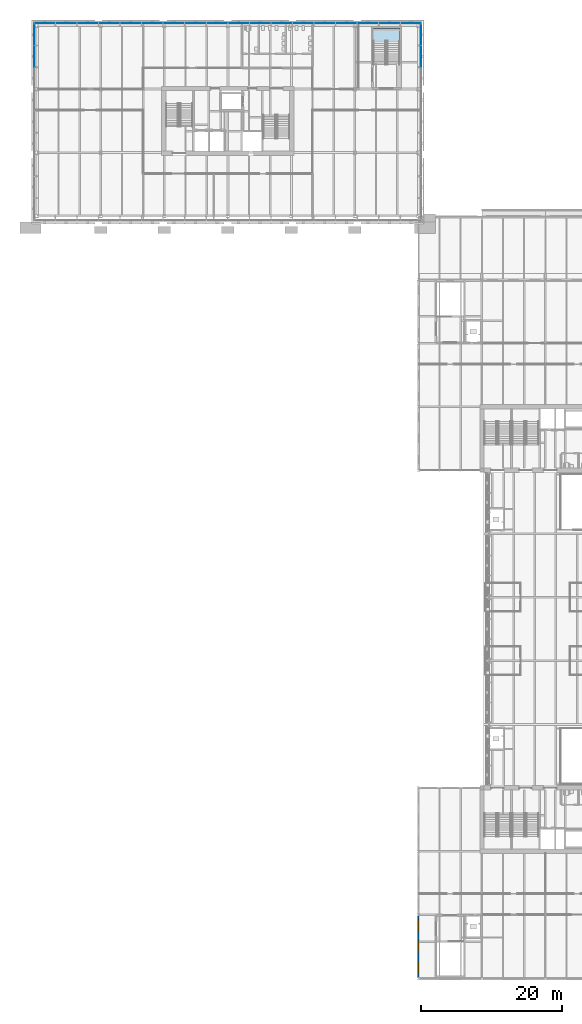
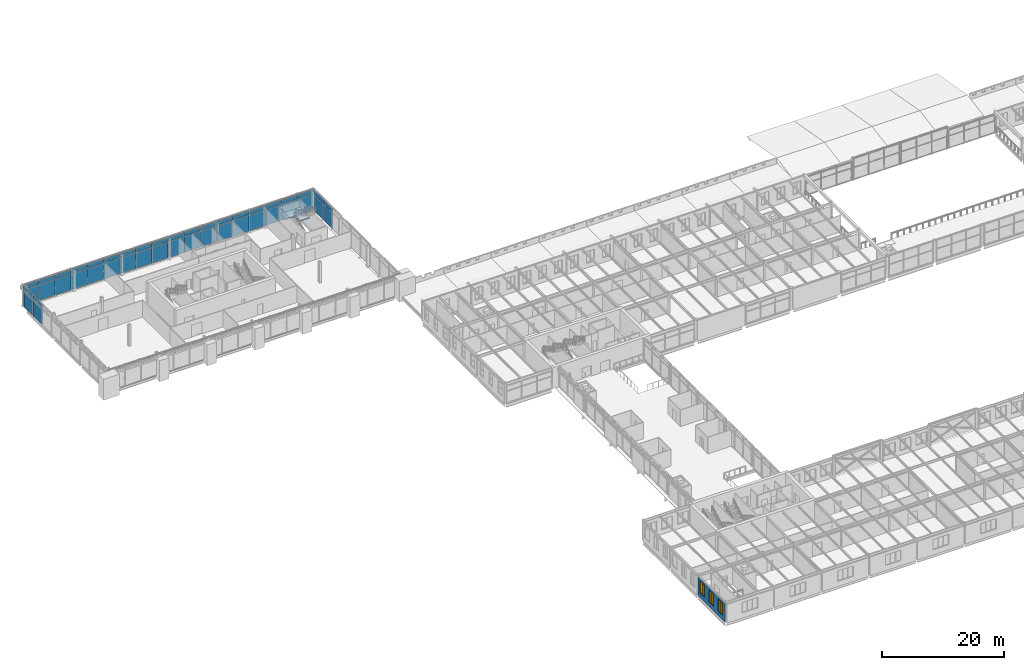
# One storey, part 58 of 123: 44 plates, 3 windows, 1 slab, 1 wall, 3 openings, 4 elements without a shape of their own.
"""IFC4 building model written with IfcOpenShell, lengths in metres."""

from ifc_helpers import new_model, si_unit, direction, frame, frame_2d, origin, origin_2d, place, context, subcontext, project, spatial, polyline, rectangle, outline, extrude, material, layer, layer_set, type_object, element, fill, aggregate, save


model = new_model("IFC4")

# Units and contexts
model_context = context("Model", 3, precision=1e-05, world=origin(), true_north=direction((0.0, 1.0)))
body_context = subcontext(model_context, "Body", "Model", "MODEL_VIEW")
ifc_project = project(units=[si_unit("LENGTHUNIT", "METRE"), si_unit("AREAUNIT", "SQUARE_METRE"), si_unit("VOLUMEUNIT", "CUBIC_METRE"), si_unit("PLANEANGLEUNIT", "RADIAN"), si_unit("MASSUNIT", "GRAM", prefix="KILO")], contexts=[model_context])

# Site, building, storey
site_placement = place(None, origin())
site = spatial("IfcSite", under=ifc_project, at=site_placement, CompositionType="ELEMENT")
building_placement = place(site_placement, origin())
building = spatial("IfcBuilding", under=site, at=building_placement, Name="Baradari Gate Terminus", CompositionType="ELEMENT")
storey_placement = place(building_placement, frame((0.0, 0.0, 7.5)))
storey = spatial("IfcBuildingStorey", under=building, at=storey_placement, Name="L01", CompositionType="ELEMENT", Elevation=7.5)

# Curtain wall, plates
ifc_material_1 = material(Name="Aluminium 6063-T6", Category="aluminium")
curtain_wall_type = type_object("IfcCurtainWallType", Name="Curtain wall CW-9 block gallery storey", PredefinedType="NOTDEFINED", material=ifc_material_1)
curtain_wall_1_placement = place(storey_placement, origin())
curtain_wall_1 = element("IfcCurtainWall", 1, at=curtain_wall_1_placement, inside=storey, type_object=curtain_wall_type, Name="Curtain wall CW-9 Operations block N face L01", PredefinedType="NOTDEFINED")
ifc_material_2 = material(Name="Insulating glass unit", Category="glass")
ifc_layer_1 = layer(ifc_material_2, 0.02001953125)
ifc_layer_set_1 = layer_set([ifc_layer_1], Name="Insulating glass unit")
plate_type_1 = type_object("IfcPlateType", Name="Curtain wall glazing unit CP-9 20", PredefinedType="CURTAIN_PANEL", material=ifc_layer_set_1)
plate_1_placement = place(storey_placement, frame((10.050048828125, 144.382568359375, 0.06982421875), z_axis=(0.0, 0.0, 1.0), x_axis=(1.0, 0.0, 0.0)))
plate_1 = element("IfcPlate", 2, at=plate_1_placement, type_object=plate_type_1, Name="CW-9 panel 1.1", PredefinedType="CURTAIN_PANEL", context=body_context, shape_type="SweptSolid", body=[
    extrude(rectangle(XDim=2.949951171875, YDim=0.02001953125, at=origin_2d()), origin(), (0.0, 0.0, 1.0), 3.195068359375),
])
plate_2_placement = place(storey_placement, frame((13.08740234375, 144.382568359375, 0.06982421875), z_axis=(0.0, 0.0, 1.0), x_axis=(1.0, 0.0, 0.0)))
plate_2 = element("IfcPlate", 3, at=plate_2_placement, type_object=plate_type_1, Name="CW-9 panel 2.1", PredefinedType="CURTAIN_PANEL", context=body_context, shape_type="SweptSolid", body=[
    extrude(rectangle(XDim=2.985107421875, YDim=0.02001953125, at=origin_2d()), origin(), (0.0, 0.0, 1.0), 3.195068359375),
])
plate_3_placement = place(storey_placement, frame((16.142578125, 144.382568359375, 0.06982421875), z_axis=(0.0, 0.0, 1.0), x_axis=(1.0, 0.0, 0.0)))
plate_3 = element("IfcPlate", 4, at=plate_3_placement, type_object=plate_type_1, Name="CW-9 panel 3.1", PredefinedType="CURTAIN_PANEL", context=body_context, shape_type="SweptSolid", body=[
    extrude(rectangle(XDim=2.985107421875, YDim=0.02001953125, at=origin_2d()), origin(), (0.0, 0.0, 1.0), 3.195068359375),
])
plate_4_placement = place(storey_placement, frame((19.197509765625, 144.382568359375, 0.06982421875), z_axis=(0.0, 0.0, 1.0), x_axis=(1.0, 0.0, 0.0)))
plate_4 = element("IfcPlate", 5, at=plate_4_placement, type_object=plate_type_1, Name="CW-9 panel 4.1", PredefinedType="CURTAIN_PANEL", context=body_context, shape_type="SweptSolid", body=[
    extrude(rectangle(XDim=2.985107421875, YDim=0.02001953125, at=origin_2d()), origin(), (0.0, 0.0, 1.0), 3.195068359375),
])
plate_5_placement = place(storey_placement, frame((22.25244140625, 144.382568359375, 0.06982421875), z_axis=(0.0, 0.0, 1.0), x_axis=(1.0, 0.0, 0.0)))
plate_5 = element("IfcPlate", 6, at=plate_5_placement, type_object=plate_type_1, Name="CW-9 panel 5.1", PredefinedType="CURTAIN_PANEL", context=body_context, shape_type="SweptSolid", body=[
    extrude(rectangle(XDim=2.985107421875, YDim=0.02001953125, at=origin_2d()), origin(), (0.0, 0.0, 1.0), 3.195068359375),
])
plate_6_placement = place(storey_placement, frame((25.3076171875, 144.382568359375, 0.06982421875), z_axis=(0.0, 0.0, 1.0), x_axis=(1.0, 0.0, 0.0)))
plate_6 = element("IfcPlate", 7, at=plate_6_placement, type_object=plate_type_1, Name="CW-9 panel 6.1", PredefinedType="CURTAIN_PANEL", context=body_context, shape_type="SweptSolid", body=[
    extrude(rectangle(XDim=2.985107421875, YDim=0.02001953125, at=origin_2d()), origin(), (0.0, 0.0, 1.0), 3.195068359375),
])
plate_7_placement = place(storey_placement, frame((28.362548828125, 144.382568359375, 0.06982421875), z_axis=(0.0, 0.0, 1.0), x_axis=(1.0, 0.0, 0.0)))
plate_7 = element("IfcPlate", 8, at=plate_7_placement, type_object=plate_type_1, Name="CW-9 panel 7.1", PredefinedType="CURTAIN_PANEL", context=body_context, shape_type="SweptSolid", body=[
    extrude(rectangle(XDim=2.985107421875, YDim=0.02001953125, at=origin_2d()), origin(), (0.0, 0.0, 1.0), 3.195068359375),
])
plate_8_placement = place(storey_placement, frame((31.41748046875, 144.382568359375, 0.06982421875), z_axis=(0.0, 0.0, 1.0), x_axis=(1.0, 0.0, 0.0)))
plate_8 = element("IfcPlate", 9, at=plate_8_placement, type_object=plate_type_1, Name="CW-9 panel 8.1", PredefinedType="CURTAIN_PANEL", context=body_context, shape_type="SweptSolid", body=[
    extrude(rectangle(XDim=2.985107421875, YDim=0.02001953125, at=origin_2d()), origin(), (0.0, 0.0, 1.0), 3.195068359375),
])
plate_9_placement = place(storey_placement, frame((34.472412109375, 144.382568359375, 0.06982421875), z_axis=(0.0, 0.0, 1.0), x_axis=(1.0, 0.0, 0.0)))
plate_9 = element("IfcPlate", 10, at=plate_9_placement, type_object=plate_type_1, Name="CW-9 panel 9.1", PredefinedType="CURTAIN_PANEL", context=body_context, shape_type="SweptSolid", body=[
    extrude(rectangle(XDim=2.985107421875, YDim=0.02001953125, at=origin_2d()), origin(), (0.0, 0.0, 1.0), 3.195068359375),
])
plate_10_placement = place(storey_placement, frame((37.527587890625, 144.382568359375, 0.06982421875), z_axis=(0.0, 0.0, 1.0), x_axis=(1.0, 0.0, 0.0)))
plate_10 = element("IfcPlate", 11, at=plate_10_placement, type_object=plate_type_1, Name="CW-9 panel 10.1", PredefinedType="CURTAIN_PANEL", context=body_context, shape_type="SweptSolid", body=[
    extrude(rectangle(XDim=2.985107421875, YDim=0.02001953125, at=origin_2d()), origin(), (0.0, 0.0, 1.0), 3.195068359375),
])
plate_11_placement = place(storey_placement, frame((40.58251953125, 144.382568359375, 0.06982421875), z_axis=(0.0, 0.0, 1.0), x_axis=(1.0, 0.0, 0.0)))
plate_11 = element("IfcPlate", 12, at=plate_11_placement, type_object=plate_type_1, Name="CW-9 panel 11.1", PredefinedType="CURTAIN_PANEL", context=body_context, shape_type="SweptSolid", body=[
    extrude(rectangle(XDim=2.985107421875, YDim=0.02001953125, at=origin_2d()), origin(), (0.0, 0.0, 1.0), 3.195068359375),
])
plate_12_placement = place(storey_placement, frame((43.637451171875, 144.382568359375, 0.06982421875), z_axis=(0.0, 0.0, 1.0), x_axis=(1.0, 0.0, 0.0)))
plate_12 = element("IfcPlate", 13, at=plate_12_placement, type_object=plate_type_1, Name="CW-9 panel 12.1", PredefinedType="CURTAIN_PANEL", context=body_context, shape_type="SweptSolid", body=[
    extrude(rectangle(XDim=2.985107421875, YDim=0.02001953125, at=origin_2d()), origin(), (0.0, 0.0, 1.0), 3.195068359375),
])
plate_13_placement = place(storey_placement, frame((46.6923828125, 144.382568359375, 0.06982421875), z_axis=(0.0, 0.0, 1.0), x_axis=(1.0, 0.0, 0.0)))
plate_13 = element("IfcPlate", 14, at=plate_13_placement, type_object=plate_type_1, Name="CW-9 panel 13.1", PredefinedType="CURTAIN_PANEL", context=body_context, shape_type="SweptSolid", body=[
    extrude(rectangle(XDim=2.985107421875, YDim=0.02001953125, at=origin_2d()), origin(), (0.0, 0.0, 1.0), 3.195068359375),
])
plate_14_placement = place(storey_placement, frame((49.74755859375, 144.382568359375, 0.06982421875), z_axis=(0.0, 0.0, 1.0), x_axis=(1.0, 0.0, 0.0)))
plate_14 = element("IfcPlate", 15, at=plate_14_placement, type_object=plate_type_1, Name="CW-9 panel 14.1", PredefinedType="CURTAIN_PANEL", context=body_context, shape_type="SweptSolid", body=[
    extrude(rectangle(XDim=2.985107421875, YDim=0.02001953125, at=origin_2d()), origin(), (0.0, 0.0, 1.0), 3.195068359375),
])
plate_15_placement = place(storey_placement, frame((52.802490234375, 144.382568359375, 0.06982421875), z_axis=(0.0, 0.0, 1.0), x_axis=(1.0, 0.0, 0.0)))
plate_15 = element("IfcPlate", 16, at=plate_15_placement, type_object=plate_type_1, Name="CW-9 panel 15.1", PredefinedType="CURTAIN_PANEL", context=body_context, shape_type="SweptSolid", body=[
    extrude(rectangle(XDim=2.985107421875, YDim=0.02001953125, at=origin_2d()), origin(), (0.0, 0.0, 1.0), 3.195068359375),
])
plate_16_placement = place(storey_placement, frame((55.857421875, 144.382568359375, 0.06982421875), z_axis=(0.0, 0.0, 1.0), x_axis=(1.0, 0.0, 0.0)))
plate_16 = element("IfcPlate", 17, at=plate_16_placement, type_object=plate_type_1, Name="CW-9 panel 16.1", PredefinedType="CURTAIN_PANEL", context=body_context, shape_type="SweptSolid", body=[
    extrude(rectangle(XDim=2.985107421875, YDim=0.02001953125, at=origin_2d()), origin(), (0.0, 0.0, 1.0), 3.195068359375),
])
plate_17_placement = place(storey_placement, frame((58.91259765625, 144.382568359375, 0.06982421875), z_axis=(0.0, 0.0, 1.0), x_axis=(1.0, 0.0, 0.0)))
plate_17 = element("IfcPlate", 18, at=plate_17_placement, type_object=plate_type_1, Name="CW-9 panel 17.1", PredefinedType="CURTAIN_PANEL", context=body_context, shape_type="SweptSolid", body=[
    extrude(rectangle(XDim=2.985107421875, YDim=0.02001953125, at=origin_2d()), origin(), (0.0, 0.0, 1.0), 3.195068359375),
])
plate_18_placement = place(storey_placement, frame((61.949951171875, 144.382568359375, 0.06982421875), z_axis=(0.0, 0.0, 1.0), x_axis=(1.0, 0.0, 0.0)))
plate_18 = element("IfcPlate", 19, at=plate_18_placement, type_object=plate_type_1, Name="CW-9 panel 18.1", PredefinedType="CURTAIN_PANEL", context=body_context, shape_type="SweptSolid", body=[
    extrude(rectangle(XDim=2.949951171875, YDim=0.02001953125, at=origin_2d()), origin(), (0.0, 0.0, 1.0), 3.195068359375),
])

curtain_wall_2_placement = place(storey_placement, origin())
curtain_wall_2 = element("IfcCurtainWall", 20, at=curtain_wall_2_placement, inside=storey, type_object=curtain_wall_type, Name="Curtain wall CW-9 Operations block W face L01", PredefinedType="NOTDEFINED")
plate_19_placement = place(storey_placement, frame((8.617431640625, 139.638427734375, 0.06982421875), z_axis=(0.0, 0.0, 1.0), x_axis=(0.0, 1.0, 0.0)))
plate_19 = element("IfcPlate", 21, at=plate_19_placement, type_object=plate_type_1, Name="CW-9 panel 8.1", PredefinedType="CURTAIN_PANEL", context=body_context, shape_type="SweptSolid", body=[
    extrude(rectangle(XDim=3.017822265625, YDim=0.02001953125, at=origin_2d()), origin(), (0.0, 0.0, 1.0), 3.195068359375),
])
plate_20_placement = place(storey_placement, frame((8.617431640625, 142.70849609375, 0.06982421875), z_axis=(0.0, 0.0, 1.0), x_axis=(0.0, 1.0, 0.0)))
plate_20 = element("IfcPlate", 22, at=plate_20_placement, type_object=plate_type_1, Name="CW-9 panel 9.1", PredefinedType="CURTAIN_PANEL", context=body_context, shape_type="SweptSolid", body=[
    extrude(rectangle(XDim=2.982666015625, YDim=0.02001953125, at=origin_2d()), origin(), (0.0, 0.0, 1.0), 3.195068359375),
])

curtain_wall_3_placement = place(storey_placement, origin())
curtain_wall_3 = element("IfcCurtainWall", 23, at=curtain_wall_3_placement, inside=storey, type_object=curtain_wall_type, Name="Curtain wall CW-9 Operations block E face L01", PredefinedType="NOTDEFINED")
plate_21_placement = place(storey_placement, frame((63.382568359375, 139.638427734375, 0.06982421875), z_axis=(0.0, 0.0, 1.0), x_axis=(0.0, 1.0, 0.0)))
plate_21 = element("IfcPlate", 24, at=plate_21_placement, type_object=plate_type_1, Name="CW-9 panel 8.1", PredefinedType="CURTAIN_PANEL", context=body_context, shape_type="SweptSolid", body=[
    extrude(rectangle(XDim=3.017822265625, YDim=0.02001953125, at=origin_2d()), origin(), (0.0, 0.0, 1.0), 3.195068359375),
])
plate_22_placement = place(storey_placement, frame((63.382568359375, 142.70849609375, 0.06982421875), z_axis=(0.0, 0.0, 1.0), x_axis=(0.0, 1.0, 0.0)))
plate_22 = element("IfcPlate", 25, at=plate_22_placement, type_object=plate_type_1, Name="CW-9 panel 9.1", PredefinedType="CURTAIN_PANEL", context=body_context, shape_type="SweptSolid", body=[
    extrude(rectangle(XDim=2.982666015625, YDim=0.02001953125, at=origin_2d()), origin(), (0.0, 0.0, 1.0), 3.195068359375),
])

# Plate
ifc_material_3 = material(Name="Back-painted glass", Category="glass")
ifc_layer_2 = layer(ifc_material_3, 0.070068359375)
ifc_layer_set_2 = layer_set([ifc_layer_2], Name="Back-painted glass")
plate_type_2 = type_object("IfcPlateType", Name="Curtain wall spandrel panel CP-S9 70", PredefinedType="CURTAIN_PANEL", material=ifc_layer_set_2)
plate_23_placement = place(storey_placement, frame((10.050048828125, 144.382568359375, 3.3349609375), z_axis=(0.0, 0.0, 1.0), x_axis=(1.0, 0.0, 0.0)))
plate_23 = element("IfcPlate", 26, at=plate_23_placement, type_object=plate_type_2, Name="CW-9 spandrel panel 1.2", PredefinedType="CURTAIN_PANEL", context=body_context, shape_type="SweptSolid", body=[
    extrude(rectangle(XDim=2.949951171875, YDim=0.070068359375, at=origin_2d()), origin(), (0.0, 0.0, 1.0), 0.794921875),
])

plate_24_placement = place(storey_placement, frame((13.08740234375, 144.382568359375, 3.3349609375), z_axis=(0.0, 0.0, 1.0), x_axis=(1.0, 0.0, 0.0)))
plate_24 = element("IfcPlate", 27, at=plate_24_placement, type_object=plate_type_2, Name="CW-9 spandrel panel 2.2", PredefinedType="CURTAIN_PANEL", context=body_context, shape_type="SweptSolid", body=[
    extrude(rectangle(XDim=2.985107421875, YDim=0.070068359375, at=origin_2d()), origin(), (0.0, 0.0, 1.0), 0.794921875),
])

plate_25_placement = place(storey_placement, frame((16.142578125, 144.382568359375, 3.3349609375), z_axis=(0.0, 0.0, 1.0), x_axis=(1.0, 0.0, 0.0)))
plate_25 = element("IfcPlate", 28, at=plate_25_placement, type_object=plate_type_2, Name="CW-9 spandrel panel 3.2", PredefinedType="CURTAIN_PANEL", context=body_context, shape_type="SweptSolid", body=[
    extrude(rectangle(XDim=2.985107421875, YDim=0.070068359375, at=origin_2d()), origin(), (0.0, 0.0, 1.0), 0.794921875),
])

plate_26_placement = place(storey_placement, frame((19.197509765625, 144.382568359375, 3.3349609375), z_axis=(0.0, 0.0, 1.0), x_axis=(1.0, 0.0, 0.0)))
plate_26 = element("IfcPlate", 29, at=plate_26_placement, type_object=plate_type_2, Name="CW-9 spandrel panel 4.2", PredefinedType="CURTAIN_PANEL", context=body_context, shape_type="SweptSolid", body=[
    extrude(rectangle(XDim=2.985107421875, YDim=0.070068359375, at=origin_2d()), origin(), (0.0, 0.0, 1.0), 0.794921875),
])

plate_27_placement = place(storey_placement, frame((22.25244140625, 144.382568359375, 3.3349609375), z_axis=(0.0, 0.0, 1.0), x_axis=(1.0, 0.0, 0.0)))
plate_27 = element("IfcPlate", 30, at=plate_27_placement, type_object=plate_type_2, Name="CW-9 spandrel panel 5.2", PredefinedType="CURTAIN_PANEL", context=body_context, shape_type="SweptSolid", body=[
    extrude(rectangle(XDim=2.985107421875, YDim=0.070068359375, at=origin_2d()), origin(), (0.0, 0.0, 1.0), 0.794921875),
])

plate_28_placement = place(storey_placement, frame((25.3076171875, 144.382568359375, 3.3349609375), z_axis=(0.0, 0.0, 1.0), x_axis=(1.0, 0.0, 0.0)))
plate_28 = element("IfcPlate", 31, at=plate_28_placement, type_object=plate_type_2, Name="CW-9 spandrel panel 6.2", PredefinedType="CURTAIN_PANEL", context=body_context, shape_type="SweptSolid", body=[
    extrude(rectangle(XDim=2.985107421875, YDim=0.070068359375, at=origin_2d()), origin(), (0.0, 0.0, 1.0), 0.794921875),
])

plate_29_placement = place(storey_placement, frame((28.362548828125, 144.382568359375, 3.3349609375), z_axis=(0.0, 0.0, 1.0), x_axis=(1.0, 0.0, 0.0)))
plate_29 = element("IfcPlate", 32, at=plate_29_placement, type_object=plate_type_2, Name="CW-9 spandrel panel 7.2", PredefinedType="CURTAIN_PANEL", context=body_context, shape_type="SweptSolid", body=[
    extrude(rectangle(XDim=2.985107421875, YDim=0.070068359375, at=origin_2d()), origin(), (0.0, 0.0, 1.0), 0.794921875),
])

plate_30_placement = place(storey_placement, frame((31.41748046875, 144.382568359375, 3.3349609375), z_axis=(0.0, 0.0, 1.0), x_axis=(1.0, 0.0, 0.0)))
plate_30 = element("IfcPlate", 33, at=plate_30_placement, type_object=plate_type_2, Name="CW-9 spandrel panel 8.2", PredefinedType="CURTAIN_PANEL", context=body_context, shape_type="SweptSolid", body=[
    extrude(rectangle(XDim=2.985107421875, YDim=0.070068359375, at=origin_2d()), origin(), (0.0, 0.0, 1.0), 0.794921875),
])

plate_31_placement = place(storey_placement, frame((34.472412109375, 144.382568359375, 3.3349609375), z_axis=(0.0, 0.0, 1.0), x_axis=(1.0, 0.0, 0.0)))
plate_31 = element("IfcPlate", 34, at=plate_31_placement, type_object=plate_type_2, Name="CW-9 spandrel panel 9.2", PredefinedType="CURTAIN_PANEL", context=body_context, shape_type="SweptSolid", body=[
    extrude(rectangle(XDim=2.985107421875, YDim=0.070068359375, at=origin_2d()), origin(), (0.0, 0.0, 1.0), 0.794921875),
])

plate_32_placement = place(storey_placement, frame((37.527587890625, 144.382568359375, 3.3349609375), z_axis=(0.0, 0.0, 1.0), x_axis=(1.0, 0.0, 0.0)))
plate_32 = element("IfcPlate", 35, at=plate_32_placement, type_object=plate_type_2, Name="CW-9 spandrel panel 10.2", PredefinedType="CURTAIN_PANEL", context=body_context, shape_type="SweptSolid", body=[
    extrude(rectangle(XDim=2.985107421875, YDim=0.070068359375, at=origin_2d()), origin(), (0.0, 0.0, 1.0), 0.794921875),
])

plate_33_placement = place(storey_placement, frame((40.58251953125, 144.382568359375, 3.3349609375), z_axis=(0.0, 0.0, 1.0), x_axis=(1.0, 0.0, 0.0)))
plate_33 = element("IfcPlate", 36, at=plate_33_placement, type_object=plate_type_2, Name="CW-9 spandrel panel 11.2", PredefinedType="CURTAIN_PANEL", context=body_context, shape_type="SweptSolid", body=[
    extrude(rectangle(XDim=2.985107421875, YDim=0.070068359375, at=origin_2d()), origin(), (0.0, 0.0, 1.0), 0.794921875),
])

plate_34_placement = place(storey_placement, frame((43.637451171875, 144.382568359375, 3.3349609375), z_axis=(0.0, 0.0, 1.0), x_axis=(1.0, 0.0, 0.0)))
plate_34 = element("IfcPlate", 37, at=plate_34_placement, type_object=plate_type_2, Name="CW-9 spandrel panel 12.2", PredefinedType="CURTAIN_PANEL", context=body_context, shape_type="SweptSolid", body=[
    extrude(rectangle(XDim=2.985107421875, YDim=0.070068359375, at=origin_2d()), origin(), (0.0, 0.0, 1.0), 0.794921875),
])

plate_35_placement = place(storey_placement, frame((46.6923828125, 144.382568359375, 3.3349609375), z_axis=(0.0, 0.0, 1.0), x_axis=(1.0, 0.0, 0.0)))
plate_35 = element("IfcPlate", 38, at=plate_35_placement, type_object=plate_type_2, Name="CW-9 spandrel panel 13.2", PredefinedType="CURTAIN_PANEL", context=body_context, shape_type="SweptSolid", body=[
    extrude(rectangle(XDim=2.985107421875, YDim=0.070068359375, at=origin_2d()), origin(), (0.0, 0.0, 1.0), 0.794921875),
])

plate_36_placement = place(storey_placement, frame((49.74755859375, 144.382568359375, 3.3349609375), z_axis=(0.0, 0.0, 1.0), x_axis=(1.0, 0.0, 0.0)))
plate_36 = element("IfcPlate", 39, at=plate_36_placement, type_object=plate_type_2, Name="CW-9 spandrel panel 14.2", PredefinedType="CURTAIN_PANEL", context=body_context, shape_type="SweptSolid", body=[
    extrude(rectangle(XDim=2.985107421875, YDim=0.070068359375, at=origin_2d()), origin(), (0.0, 0.0, 1.0), 0.794921875),
])

plate_37_placement = place(storey_placement, frame((52.802490234375, 144.382568359375, 3.3349609375), z_axis=(0.0, 0.0, 1.0), x_axis=(1.0, 0.0, 0.0)))
plate_37 = element("IfcPlate", 40, at=plate_37_placement, type_object=plate_type_2, Name="CW-9 spandrel panel 15.2", PredefinedType="CURTAIN_PANEL", context=body_context, shape_type="SweptSolid", body=[
    extrude(rectangle(XDim=2.985107421875, YDim=0.070068359375, at=origin_2d()), origin(), (0.0, 0.0, 1.0), 0.794921875),
])

plate_38_placement = place(storey_placement, frame((55.857421875, 144.382568359375, 3.3349609375), z_axis=(0.0, 0.0, 1.0), x_axis=(1.0, 0.0, 0.0)))
plate_38 = element("IfcPlate", 41, at=plate_38_placement, type_object=plate_type_2, Name="CW-9 spandrel panel 16.2", PredefinedType="CURTAIN_PANEL", context=body_context, shape_type="SweptSolid", body=[
    extrude(rectangle(XDim=2.985107421875, YDim=0.070068359375, at=origin_2d()), origin(), (0.0, 0.0, 1.0), 0.794921875),
])

plate_39_placement = place(storey_placement, frame((58.91259765625, 144.382568359375, 3.3349609375), z_axis=(0.0, 0.0, 1.0), x_axis=(1.0, 0.0, 0.0)))
plate_39 = element("IfcPlate", 42, at=plate_39_placement, type_object=plate_type_2, Name="CW-9 spandrel panel 17.2", PredefinedType="CURTAIN_PANEL", context=body_context, shape_type="SweptSolid", body=[
    extrude(rectangle(XDim=2.985107421875, YDim=0.070068359375, at=origin_2d()), origin(), (0.0, 0.0, 1.0), 0.794921875),
])

plate_40_placement = place(storey_placement, frame((61.949951171875, 144.382568359375, 3.3349609375), z_axis=(0.0, 0.0, 1.0), x_axis=(1.0, 0.0, 0.0)))
plate_40 = element("IfcPlate", 43, at=plate_40_placement, type_object=plate_type_2, Name="CW-9 spandrel panel 18.2", PredefinedType="CURTAIN_PANEL", context=body_context, shape_type="SweptSolid", body=[
    extrude(rectangle(XDim=2.949951171875, YDim=0.070068359375, at=origin_2d()), origin(), (0.0, 0.0, 1.0), 0.794921875),
])

aggregate(curtain_wall_1, [plate_1, plate_23, plate_2, plate_24, plate_3, plate_25, plate_4, plate_26, plate_5, plate_27, plate_6, plate_28, plate_7, plate_29, plate_8, plate_30, plate_9, plate_31, plate_10, plate_32, plate_11, plate_33, plate_12, plate_34, plate_13, plate_35, plate_14, plate_36, plate_15, plate_37, plate_16, plate_38, plate_17, plate_39, plate_18, plate_40])

plate_41_placement = place(storey_placement, frame((8.617431640625, 139.638427734375, 3.3349609375), z_axis=(0.0, 0.0, 1.0), x_axis=(0.0, 1.0, 0.0)))
plate_41 = element("IfcPlate", 44, at=plate_41_placement, type_object=plate_type_2, Name="CW-9 spandrel panel 8.2", PredefinedType="CURTAIN_PANEL", context=body_context, shape_type="SweptSolid", body=[
    extrude(rectangle(XDim=3.017822265625, YDim=0.070068359375, at=origin_2d()), origin(), (0.0, 0.0, 1.0), 0.794921875),
])

plate_42_placement = place(storey_placement, frame((8.617431640625, 142.70849609375, 3.3349609375), z_axis=(0.0, 0.0, 1.0), x_axis=(0.0, 1.0, 0.0)))
plate_42 = element("IfcPlate", 45, at=plate_42_placement, type_object=plate_type_2, Name="CW-9 spandrel panel 9.2", PredefinedType="CURTAIN_PANEL", context=body_context, shape_type="SweptSolid", body=[
    extrude(rectangle(XDim=2.982666015625, YDim=0.070068359375, at=origin_2d()), origin(), (0.0, 0.0, 1.0), 0.794921875),
])

aggregate(curtain_wall_2, [plate_19, plate_41, plate_20, plate_42])

plate_43_placement = place(storey_placement, frame((63.382568359375, 139.638427734375, 3.3349609375), z_axis=(0.0, 0.0, 1.0), x_axis=(0.0, 1.0, 0.0)))
plate_43 = element("IfcPlate", 46, at=plate_43_placement, type_object=plate_type_2, Name="CW-9 spandrel panel 8.2", PredefinedType="CURTAIN_PANEL", context=body_context, shape_type="SweptSolid", body=[
    extrude(rectangle(XDim=3.017822265625, YDim=0.070068359375, at=origin_2d()), origin(), (0.0, 0.0, 1.0), 0.794921875),
])

plate_44_placement = place(storey_placement, frame((63.382568359375, 142.70849609375, 3.3349609375), z_axis=(0.0, 0.0, 1.0), x_axis=(0.0, 1.0, 0.0)))
plate_44 = element("IfcPlate", 47, at=plate_44_placement, type_object=plate_type_2, Name="CW-9 spandrel panel 9.2", PredefinedType="CURTAIN_PANEL", context=body_context, shape_type="SweptSolid", body=[
    extrude(rectangle(XDim=2.982666015625, YDim=0.070068359375, at=origin_2d()), origin(), (0.0, 0.0, 1.0), 0.794921875),
])

aggregate(curtain_wall_3, [plate_21, plate_43, plate_22, plate_44])

# Stair, slab
ifc_material_4 = material(Name="Concrete C32/40", Category="concrete")
stair_type = type_object("IfcStairType", Name="Exit stair ST-T3 riser 175 x 1800", PredefinedType="HALF_TURN_STAIR", material=ifc_material_4)
stair_placement = place(storey_placement, origin())
stair = element("IfcStair", 48, at=stair_placement, inside=storey, type_object=stair_type, Name="Stair ST-T3 L01 to L02", PredefinedType="HALF_TURN_STAIR")
ifc_material_5 = material(Name="Concrete C32/40", Category="concrete")
ifc_layer_3 = layer(ifc_material_5, 0.199951171875)
ifc_layer_set_3 = layer_set([ifc_layer_3], Name="Concrete C32/40")
slab_type = type_object("IfcSlabType", Name="Stair landing LS-1 200", PredefinedType="LANDING", material=ifc_layer_set_3)
slab_placement = place(storey_placement, frame((0.0, 0.0, 1.89990234375)))
slab = element("IfcSlab", 49, at=slab_placement, type_object=slab_type, Name="ST-T3 landing 1", PredefinedType="LANDING", context=body_context, shape_type="SweptSolid", body=[
    extrude(outline(polyline([(56.60009765625, 143.60009765625), (56.60009765625, 141.780029296875), (58.39990234375, 141.780029296875), (58.39990234375, 140.264892578125), (58.60009765625, 140.264892578125), (60.39990234375, 140.264892578125), (60.39990234375, 143.60009765625), (56.60009765625, 143.60009765625)])), origin(), (0.0, 0.0, 1.0), 0.2001953125),
])
aggregate(stair, [slab])

# Wall, openings, windows
ifc_material_6 = material(Name="Light ochre laterite masonry", Category="masonry")
ifc_layer_4 = layer(ifc_material_6, 0.219970703125)
ifc_layer_set_4 = layer_set([ifc_layer_4], Name="Light ochre laterite masonry")
wall_type = type_object("IfcWallType", Name="Laterite masonry wall WP-2 220", PredefinedType="SOLIDWALL", material=ifc_layer_set_4)
wall_placement = place(storey_placement, frame((63.0, 9.126953125, 0.0), z_axis=(0.0, 0.0, 1.0), x_axis=(0.0, 1.0, 0.0)))
wall = element("IfcWall", 50, at=wall_placement, inside=storey, type_object=wall_type, Name="west end wall SW bay 2 L01", PredefinedType="SOLIDWALL", context=body_context, shape_type="SweptSolid", body=[
    extrude(rectangle(XDim=8.742919921875, YDim=0.219970703125, at=frame_2d((4.37158203125, 0.0))), origin(), (0.0, 0.0, 1.0), 3.5966796875),
])
opening_1_placement = place(wall_placement, frame((0.623046875, 0.0, 0.89990234375)))
opening_1 = element("IfcOpeningElement", 51, at=opening_1_placement, cuts=wall, Name="Opening W1", PredefinedType="OPENING", context=body_context, shape_type="SweptSolid", body=[
    extrude(rectangle(XDim=1.5, YDim=2.39990234375, at=frame_2d((0.75, 1.199951171875))), frame((0.0, 0.119873046875, 0.0), z_axis=(0.0, -1.0, 0.0), x_axis=(1.0, 0.0, 0.0)), (0.0, 0.0, 1.0), 0.239990234375),
])
opening_2_placement = place(wall_placement, frame((3.623046875, 0.0, 0.89990234375)))
opening_2 = element("IfcOpeningElement", 52, at=opening_2_placement, cuts=wall, Name="Opening W1", PredefinedType="OPENING", context=body_context, shape_type="SweptSolid", body=[
    extrude(rectangle(XDim=1.5, YDim=2.39990234375, at=frame_2d((0.75, 1.199951171875))), frame((0.0, 0.119873046875, 0.0), z_axis=(0.0, -1.0, 0.0), x_axis=(1.0, 0.0, 0.0)), (0.0, 0.0, 1.0), 0.239990234375),
])
opening_3_placement = place(wall_placement, frame((6.623046875, 0.0, 0.89990234375)))
opening_3 = element("IfcOpeningElement", 53, at=opening_3_placement, cuts=wall, Name="Opening W1", PredefinedType="OPENING", context=body_context, shape_type="SweptSolid", body=[
    extrude(rectangle(XDim=1.5, YDim=2.39990234375, at=frame_2d((0.75, 1.199951171875))), frame((0.0, 0.119873046875, 0.0), z_axis=(0.0, -1.0, 0.0), x_axis=(1.0, 0.0, 0.0)), (0.0, 0.0, 1.0), 0.239990234375),
])
ifc_material_7 = material(Name="Aluminium 6063-T6", Category="aluminium")
window_type = type_object("IfcWindowType", Name="Punched window, 2-light W1 1500x2400", PartitioningType="DOUBLE_PANEL_VERTICAL", PredefinedType="WINDOW", material=ifc_material_7)
window_1_placement = place(opening_1_placement, origin())
window_1 = element("IfcWindow", 54, at=window_1_placement, inside=storey, type_object=window_type, Name="Window W1 SW/01", OverallHeight=2.4, OverallWidth=1.5, PartitioningType="DOUBLE_PANEL_VERTICAL", PredefinedType="WINDOW", context=body_context, shape_type="SweptSolid", body=[
    extrude(outline(polyline([(0.0, 0.0), (1.5, 0.0), (1.5, 2.39990234375), (0.0, 2.39990234375), (0.0, 0.0)]), holes=[polyline([(0.070068359375, 0.070068359375), (1.429931640625, 0.070068359375), (1.429931640625, 2.329833984375), (0.070068359375, 2.329833984375), (0.070068359375, 0.070068359375)])]), frame((0.0, 0.030029296875, 0.0), z_axis=(0.0, -1.0, 0.0), x_axis=(1.0, 0.0, 0.0)), (0.0, 0.0, 1.0), 0.06005859375),
    extrude(rectangle(XDim=0.0400390625, YDim=2.259765625, at=frame_2d((0.75, 1.199951171875))), frame((0.0, 0.02197265625, 0.0), z_axis=(0.0, -1.0, 0.0), x_axis=(1.0, 0.0, 0.0)), (0.0, 0.0, 1.0), 0.0439453125),
    extrude(outline(polyline([(0.070068359375, 0.070068359375), (0.72998046875, 0.070068359375), (0.72998046875, 2.329833984375), (0.070068359375, 2.329833984375), (0.070068359375, 0.070068359375)]), holes=[polyline([(0.10009765625, 0.10009765625), (0.699951171875, 0.10009765625), (0.699951171875, 2.2998046875), (0.10009765625, 2.2998046875), (0.10009765625, 0.10009765625)])]), frame((0.0, 0.0224609375, 0.0), z_axis=(0.0, -1.0, 0.0), x_axis=(1.0, 0.0, 0.0)), (0.0, 0.0, 1.0), 0.044921875),
    extrude(rectangle(XDim=0.599853515625, YDim=2.19970703125, at=frame_2d((0.39990234375, 1.199951171875))), frame((0.0, 0.006103515625, 0.0), z_axis=(0.0, -1.0, 0.0), x_axis=(1.0, 0.0, 0.0)), (0.0, 0.0, 1.0), 0.01220703125),
    extrude(outline(polyline([(0.77001953125, 0.070068359375), (1.429931640625, 0.070068359375), (1.429931640625, 2.329833984375), (0.77001953125, 2.329833984375), (0.77001953125, 0.070068359375)]), holes=[polyline([(0.800048828125, 0.10009765625), (1.39990234375, 0.10009765625), (1.39990234375, 2.2998046875), (0.800048828125, 2.2998046875), (0.800048828125, 0.10009765625)])]), frame((0.0, 0.0224609375, 0.0), z_axis=(0.0, -1.0, 0.0), x_axis=(1.0, 0.0, 0.0)), (0.0, 0.0, 1.0), 0.044921875),
    extrude(rectangle(XDim=0.599853515625, YDim=2.19970703125, at=frame_2d((1.10009765625, 1.199951171875))), frame((0.0, 0.006103515625, 0.0), z_axis=(0.0, -1.0, 0.0), x_axis=(1.0, 0.0, 0.0)), (0.0, 0.0, 1.0), 0.01220703125),
])
fill(opening_1, window_1)
window_2_placement = place(opening_2_placement, origin())
window_2 = element("IfcWindow", 55, at=window_2_placement, inside=storey, type_object=window_type, Name="Window W1 SW/01", OverallHeight=2.4, OverallWidth=1.5, PartitioningType="DOUBLE_PANEL_VERTICAL", PredefinedType="WINDOW", context=body_context, shape_type="SweptSolid", body=[
    extrude(outline(polyline([(0.0, 0.0), (1.5, 0.0), (1.5, 2.39990234375), (0.0, 2.39990234375), (0.0, 0.0)]), holes=[polyline([(0.070068359375, 0.070068359375), (1.429931640625, 0.070068359375), (1.429931640625, 2.329833984375), (0.070068359375, 2.329833984375), (0.070068359375, 0.070068359375)])]), frame((0.0, 0.030029296875, 0.0), z_axis=(0.0, -1.0, 0.0), x_axis=(1.0, 0.0, 0.0)), (0.0, 0.0, 1.0), 0.06005859375),
    extrude(rectangle(XDim=0.0400390625, YDim=2.259765625, at=frame_2d((0.75, 1.199951171875))), frame((0.0, 0.02197265625, 0.0), z_axis=(0.0, -1.0, 0.0), x_axis=(1.0, 0.0, 0.0)), (0.0, 0.0, 1.0), 0.0439453125),
    extrude(outline(polyline([(0.070068359375, 0.070068359375), (0.72998046875, 0.070068359375), (0.72998046875, 2.329833984375), (0.070068359375, 2.329833984375), (0.070068359375, 0.070068359375)]), holes=[polyline([(0.10009765625, 0.10009765625), (0.699951171875, 0.10009765625), (0.699951171875, 2.2998046875), (0.10009765625, 2.2998046875), (0.10009765625, 0.10009765625)])]), frame((0.0, 0.0224609375, 0.0), z_axis=(0.0, -1.0, 0.0), x_axis=(1.0, 0.0, 0.0)), (0.0, 0.0, 1.0), 0.044921875),
    extrude(rectangle(XDim=0.599853515625, YDim=2.19970703125, at=frame_2d((0.39990234375, 1.199951171875))), frame((0.0, 0.006103515625, 0.0), z_axis=(0.0, -1.0, 0.0), x_axis=(1.0, 0.0, 0.0)), (0.0, 0.0, 1.0), 0.01220703125),
    extrude(outline(polyline([(0.77001953125, 0.070068359375), (1.429931640625, 0.070068359375), (1.429931640625, 2.329833984375), (0.77001953125, 2.329833984375), (0.77001953125, 0.070068359375)]), holes=[polyline([(0.800048828125, 0.10009765625), (1.39990234375, 0.10009765625), (1.39990234375, 2.2998046875), (0.800048828125, 2.2998046875), (0.800048828125, 0.10009765625)])]), frame((0.0, 0.0224609375, 0.0), z_axis=(0.0, -1.0, 0.0), x_axis=(1.0, 0.0, 0.0)), (0.0, 0.0, 1.0), 0.044921875),
    extrude(rectangle(XDim=0.599853515625, YDim=2.19970703125, at=frame_2d((1.10009765625, 1.199951171875))), frame((0.0, 0.006103515625, 0.0), z_axis=(0.0, -1.0, 0.0), x_axis=(1.0, 0.0, 0.0)), (0.0, 0.0, 1.0), 0.01220703125),
])
fill(opening_2, window_2)
window_3_placement = place(opening_3_placement, origin())
window_3 = element("IfcWindow", 56, at=window_3_placement, inside=storey, type_object=window_type, Name="Window W1 SW/01", OverallHeight=2.4, OverallWidth=1.5, PartitioningType="DOUBLE_PANEL_VERTICAL", PredefinedType="WINDOW", context=body_context, shape_type="SweptSolid", body=[
    extrude(outline(polyline([(0.0, 0.0), (1.5, 0.0), (1.5, 2.39990234375), (0.0, 2.39990234375), (0.0, 0.0)]), holes=[polyline([(0.070068359375, 0.070068359375), (1.429931640625, 0.070068359375), (1.429931640625, 2.329833984375), (0.070068359375, 2.329833984375), (0.070068359375, 0.070068359375)])]), frame((0.0, 0.030029296875, 0.0), z_axis=(0.0, -1.0, 0.0), x_axis=(1.0, 0.0, 0.0)), (0.0, 0.0, 1.0), 0.06005859375),
    extrude(rectangle(XDim=0.0400390625, YDim=2.259765625, at=frame_2d((0.75, 1.199951171875))), frame((0.0, 0.02197265625, 0.0), z_axis=(0.0, -1.0, 0.0), x_axis=(1.0, 0.0, 0.0)), (0.0, 0.0, 1.0), 0.0439453125),
    extrude(outline(polyline([(0.070068359375, 0.070068359375), (0.72998046875, 0.070068359375), (0.72998046875, 2.329833984375), (0.070068359375, 2.329833984375), (0.070068359375, 0.070068359375)]), holes=[polyline([(0.10009765625, 0.10009765625), (0.699951171875, 0.10009765625), (0.699951171875, 2.2998046875), (0.10009765625, 2.2998046875), (0.10009765625, 0.10009765625)])]), frame((0.0, 0.0224609375, 0.0), z_axis=(0.0, -1.0, 0.0), x_axis=(1.0, 0.0, 0.0)), (0.0, 0.0, 1.0), 0.044921875),
    extrude(rectangle(XDim=0.599853515625, YDim=2.19970703125, at=frame_2d((0.39990234375, 1.199951171875))), frame((0.0, 0.006103515625, 0.0), z_axis=(0.0, -1.0, 0.0), x_axis=(1.0, 0.0, 0.0)), (0.0, 0.0, 1.0), 0.01220703125),
    extrude(outline(polyline([(0.77001953125, 0.070068359375), (1.429931640625, 0.070068359375), (1.429931640625, 2.329833984375), (0.77001953125, 2.329833984375), (0.77001953125, 0.070068359375)]), holes=[polyline([(0.800048828125, 0.10009765625), (1.39990234375, 0.10009765625), (1.39990234375, 2.2998046875), (0.800048828125, 2.2998046875), (0.800048828125, 0.10009765625)])]), frame((0.0, 0.0224609375, 0.0), z_axis=(0.0, -1.0, 0.0), x_axis=(1.0, 0.0, 0.0)), (0.0, 0.0, 1.0), 0.044921875),
    extrude(rectangle(XDim=0.599853515625, YDim=2.19970703125, at=frame_2d((1.10009765625, 1.199951171875))), frame((0.0, 0.006103515625, 0.0), z_axis=(0.0, -1.0, 0.0), x_axis=(1.0, 0.0, 0.0)), (0.0, 0.0, 1.0), 0.01220703125),
])
fill(opening_3, window_3)

save(model, "model.ifc")
